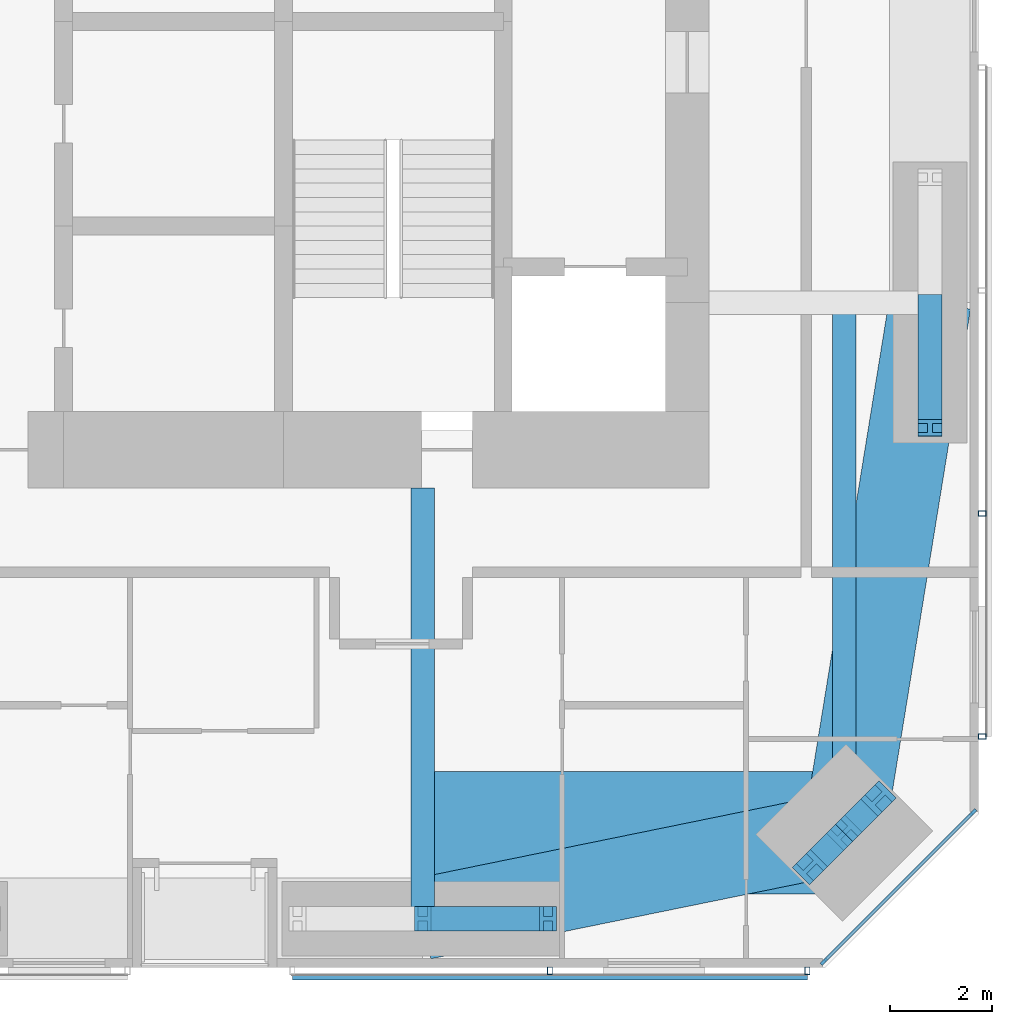
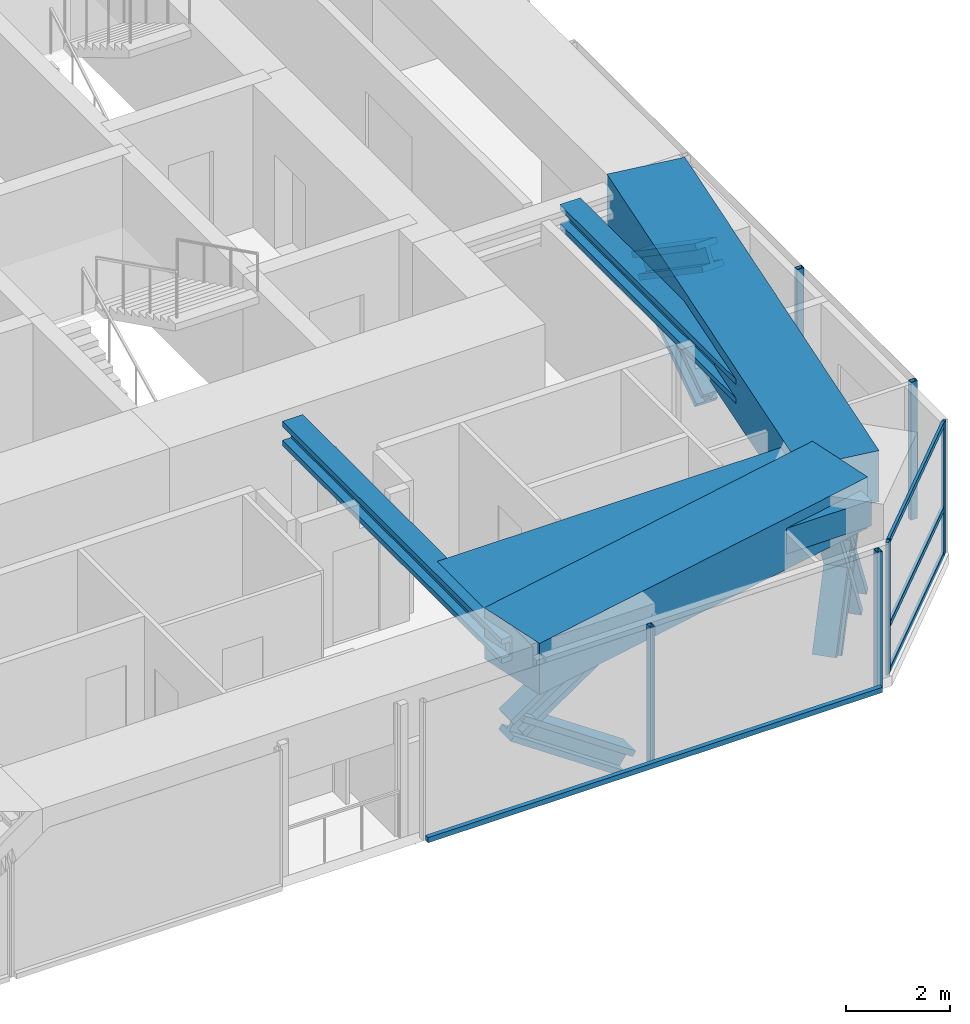
# One storey, part 8 of 24: 18 members, 5 beams, 3 elements without a shape of their own.
"""IFC4 building model written with IfcOpenShell, lengths in metres."""

from ifc_helpers import new_model, si_unit, direction, frame, origin, origin_2d, place, context, subcontext, project, spatial, rectangle, hollow_rectangle, i_section, extrude, material, material_profile, profile_set, type_object, element, aggregate, save


model = new_model("IFC4")

# Units and contexts
model_context = context("Model", 3, precision=1e-05, world=origin(), true_north=direction((0.0, 1.0)))
body_context = subcontext(model_context, "Body", "Model", "MODEL_VIEW")
ifc_project = project(units=[si_unit("LENGTHUNIT", "METRE"), si_unit("AREAUNIT", "SQUARE_METRE"), si_unit("VOLUMEUNIT", "CUBIC_METRE"), si_unit("PLANEANGLEUNIT", "RADIAN"), si_unit("MASSUNIT", "GRAM", prefix="KILO")], contexts=[model_context])

# Site, building, storey
site_placement = place(None, origin())
site = spatial("IfcSite", under=ifc_project, at=site_placement, CompositionType="ELEMENT")
building_placement = place(site_placement, origin())
building = spatial("IfcBuilding", under=site, at=building_placement, Name="Jalousie Tower", CompositionType="ELEMENT")
storey_placement = place(building_placement, frame((0.0, 0.0, 128.300048828125)))
storey = spatial("IfcBuildingStorey", under=building, at=storey_placement, Name="L35", CompositionType="ELEMENT", Elevation=128.300048828125)

# Curtain wall, members
ifc_material_1 = material(Name="Aluminium curtain wall", Category="aluminium")
curtain_wall_type_1 = type_object("IfcCurtainWallType", Name="CORNER WINDOW WALL", PredefinedType="USERDEFINED", material=ifc_material_1)
curtain_wall_1_placement = place(storey_placement, origin())
curtain_wall_1 = element("IfcCurtainWall", 1, at=curtain_wall_1_placement, inside=storey, type_object=curtain_wall_type_1, Name="Corner Window Wall L35 2", ObjectType="CORNER WINDOW WALL", PredefinedType="USERDEFINED")
ifc_material_2 = material(Name="Aluminium mullion", Category="aluminium")
ifc_material_profile_1 = material_profile(ifc_material_2, rectangle(XDim=0.06005859375, YDim=0.14990234375, at=origin_2d()), Name="MULLION 60x150")
ifc_profile_set_1 = profile_set([ifc_material_profile_1], Name="Aluminium mullion")
member_type_1 = type_object("IfcMemberType", Name="CORNER WINDOW WALL MULLION", PredefinedType="MULLION", material=ifc_profile_set_1)
member_1_placement = place(storey_placement, frame((46.469970703125, 0.108642578125, 0.0), z_axis=(0.0, 0.0, 1.0), x_axis=(-0.707106781187, 0.707106781187, 0.0)))
member_1 = element("IfcMember", 2, at=member_1_placement, type_object=member_type_1, Name="CW-C mullion 1", PredefinedType="MULLION", context=body_context, shape_type="SweptSolid", body=[
    extrude(rectangle(XDim=0.06005859375, YDim=0.14990234375, at=origin_2d()), origin(), (0.0, 0.0, 1.0), 3.10986328125),
])
member_2_placement = place(storey_placement, frame((49.391357421875, 3.030029296875, 0.0), z_axis=(0.0, 0.0, 1.0), x_axis=(-0.707106781187, 0.707106781187, 0.0)))
member_2 = element("IfcMember", 3, at=member_2_placement, type_object=member_type_1, Name="CW-C mullion 2", PredefinedType="MULLION", context=body_context, shape_type="SweptSolid", body=[
    extrude(rectangle(XDim=0.06005859375, YDim=0.14990234375, at=origin_2d()), origin(), (0.0, 0.0, 1.0), 3.10986328125),
])
ifc_material_3 = material(Name="Aluminium transom", Category="aluminium")
ifc_material_profile_2 = material_profile(ifc_material_3, rectangle(XDim=0.06005859375, YDim=0.1201171875, at=origin_2d()), Name="TRANSOM 60x120")
ifc_profile_set_2 = profile_set([ifc_material_profile_2], Name="Aluminium transom")
member_type_2 = type_object("IfcMemberType", Name="CORNER WINDOW WALL TRANSOM", PredefinedType="USERDEFINED", material=ifc_profile_set_2)
member_3_placement = place(storey_placement, frame((46.4912109375, 0.1298828125, 0.030029296875), z_axis=(0.707106781187, 0.707106781187, 0.0), x_axis=(-0.707106781187, 0.707106781187, 0.0)))
member_3 = element("IfcMember", 4, at=member_3_placement, type_object=member_type_2, Name="CW-C transom 1.1", ObjectType="TRANSOM", PredefinedType="USERDEFINED", context=body_context, shape_type="SweptSolid", body=[
    extrude(rectangle(XDim=0.06005859375, YDim=0.1201171875, at=origin_2d()), origin(), (0.0, 0.0, 1.0), 4.0712890625),
])
member_4_placement = place(storey_placement, frame((46.4912109375, 0.1298828125, 1.099853515625), z_axis=(0.707106781187, 0.707106781187, 0.0), x_axis=(-0.707106781187, 0.707106781187, 0.0)))
member_4 = element("IfcMember", 5, at=member_4_placement, type_object=member_type_2, Name="CW-C transom 1.2", ObjectType="TRANSOM", PredefinedType="USERDEFINED", context=body_context, shape_type="SweptSolid", body=[
    extrude(rectangle(XDim=0.06005859375, YDim=0.1201171875, at=origin_2d()), origin(), (0.0, 0.0, 1.0), 4.0712890625),
])
member_5_placement = place(storey_placement, frame((46.4912109375, 0.1298828125, 3.079833984375), z_axis=(0.707106781187, 0.707106781187, 0.0), x_axis=(-0.707106781187, 0.707106781187, 0.0)))
member_5 = element("IfcMember", 6, at=member_5_placement, type_object=member_type_2, Name="CW-C transom 1.3", ObjectType="TRANSOM", PredefinedType="USERDEFINED", context=body_context, shape_type="SweptSolid", body=[
    extrude(rectangle(XDim=0.06005859375, YDim=0.1201171875, at=origin_2d()), origin(), (0.0, 0.0, 1.0), 4.0712890625),
])
aggregate(curtain_wall_1, [member_1, member_2, member_3, member_4, member_5])

# Beams
ifc_material_4 = material(Name="Steel ASTM A992 Grade 50", Category="steel")
ifc_material_profile_3 = material_profile(ifc_material_4, i_section(OverallWidth=0.45458984375, OverallDepth=0.569091796875, WebThickness=0.077880859375, FlangeThickness=0.124755859375, at=origin_2d()), Name="W14X730")
ifc_profile_set_3 = profile_set([ifc_material_profile_3], Name="Steel ASTM A992 Grade 50")
beam_type_1 = type_object("IfcBeamType", Name="LEAN COLLECTOR W14X730", PredefinedType="BEAM", material=ifc_profile_set_3)
beam_1_placement = place(storey_placement, frame((38.625, 0.949951171875, 2.825439453125), z_axis=(0.0, 1.0, 0.0), x_axis=(-1.0, 0.0, 0.0)))
element("IfcBeam", 7, at=beam_1_placement, inside=storey, type_object=beam_type_1, Name="Lean collector under L36", PredefinedType="BEAM", context=body_context, shape_type="SweptSolid", body=[
    extrude(i_section(OverallWidth=0.45458984375, OverallDepth=0.569091796875, WebThickness=0.077880859375, FlangeThickness=0.124755859375, at=origin_2d()), origin(), (0.0, 0.0, 1.0), 8.425048828125),
])
beam_2_placement = place(storey_placement, frame((46.86865234375, 2.63134765625, 2.825439453125), z_axis=(0.0, 1.0, 0.0), x_axis=(-1.0, 0.0, 0.0)))
element("IfcBeam", 8, at=beam_2_placement, inside=storey, type_object=beam_type_1, Name="Lean collector under L36", PredefinedType="BEAM", context=body_context, shape_type="SweptSolid", body=[
    extrude(i_section(OverallWidth=0.45458984375, OverallDepth=0.569091796875, WebThickness=0.077880859375, FlangeThickness=0.124755859375, at=origin_2d()), origin(), (0.0, 0.0, 1.0), 10.36865234375),
])

# Members
ifc_material_5 = material(Name="Steel ASTM A992 Grade 50", Category="steel")
ifc_material_profile_4 = material_profile(ifc_material_5, i_section(OverallWidth=0.472412109375, OverallDepth=0.5791015625, WebThickness=0.094970703125, FlangeThickness=0.1298828125, at=origin_2d()), Name="W14X808")
ifc_profile_set_4 = profile_set([ifc_material_profile_4], Name="Steel ASTM A992 Grade 50")
member_type_3 = type_object("IfcMemberType", Name="PERIMETER BRACE W14X808", PredefinedType="BRACE", material=ifc_profile_set_4)
for number, where, z_axis, x_axis, name in (
    (9, (38.625, 0.949951171875, 1.074951171875), (0.825500916831, 0.0, 0.564400776321), (0.0, 1.0, 0.0), "Perimeter brace 04 L35 part 2"),
    (10, (41.074951171875, 0.949951171875, -0.60009765625), (-0.825500916831, 0.0, 0.564400776321), (0.0, -1.0, 0.0), "Perimeter brace 04 L35 part 3"),
):
    element("IfcMember", number, at=place(storey_placement, frame(where, z_axis=z_axis, x_axis=x_axis)), inside=storey, type_object=member_type_3, Name=name, PredefinedType="BRACE", context=body_context, shape_type="SweptSolid", body=[
        extrude(i_section(OverallWidth=0.472412109375, OverallDepth=0.5791015625, WebThickness=0.094970703125, FlangeThickness=0.1298828125, at=origin_2d()), origin(), (0.0, 0.0, 1.0), 2.9677734375),
    ])
for number, where, z_axis, x_axis, name in (
    (11, (46.197021484375, 1.959716796875, -0.60009765625), (0.348789058631, 0.348789058631, 0.869880672943), (-0.707106781187, 0.707106781187, 0.0), "Perimeter brace 05 L35 part 1"),
    (12, (46.86865234375, 2.63134765625, 1.074951171875), (0.348789058631, 0.348789058631, 0.869880672943), (-0.707106781187, 0.707106781187, 0.0), "Perimeter brace 05 L35 part 2"),
    (13, (47.540283203125, 3.302978515625, -0.60009765625), (-0.348789058631, -0.348789058631, 0.869880672943), (0.707106781187, -0.707106781187, 0.0), "Perimeter brace 05 L35 part 3"),
    (14, (46.86865234375, 2.63134765625, 1.074951171875), (-0.348789058631, -0.348789058631, 0.869880672943), (0.707106781187, -0.707106781187, 0.0), "Perimeter brace 05 L35 part 4"),
):
    element("IfcMember", number, at=place(storey_placement, frame(where, z_axis=z_axis, x_axis=x_axis)), inside=storey, type_object=member_type_3, Name=name, PredefinedType="BRACE", context=body_context, shape_type="SweptSolid", body=[
        extrude(i_section(OverallWidth=0.472412109375, OverallDepth=0.5791015625, WebThickness=0.094970703125, FlangeThickness=0.1298828125, at=origin_2d()), origin(), (0.0, 0.0, 1.0), 1.925537109375),
    ])
for number, where, z_axis, x_axis, name in (
    (15, (48.550048828125, 10.550048828125, -0.60009765625), (0.0, 0.825500916831, 0.564400776321), (-1.0, 0.0, 0.0), "Perimeter brace 06 L35 part 1"),
    (16, (48.550048828125, 13.0, 1.074951171875), (0.0, -0.825500916831, 0.564400776321), (1.0, 0.0, 0.0), "Perimeter brace 06 L35 part 4"),
):
    element("IfcMember", number, at=place(storey_placement, frame(where, z_axis=z_axis, x_axis=x_axis)), inside=storey, type_object=member_type_3, Name=name, PredefinedType="BRACE", context=body_context, shape_type="SweptSolid", body=[
        extrude(i_section(OverallWidth=0.472412109375, OverallDepth=0.5791015625, WebThickness=0.094970703125, FlangeThickness=0.1298828125, at=origin_2d()), origin(), (0.0, 0.0, 1.0), 2.9677734375),
    ])

# Beams
ifc_material_6 = material(Name="Concrete f'c 40 MPa", Category="concrete")
ifc_material_profile_5 = material_profile(ifc_material_6, rectangle(XDim=1.60009765625, YDim=1.199951171875, at=origin_2d()), Name="RC 1600x1200")
ifc_profile_set_5 = profile_set([ifc_material_profile_5], Name="Concrete f'c 40 MPa")
beam_type_2 = type_object("IfcBeamType", Name="RC BEAM 1600x1200", PredefinedType="BEAM", material=ifc_profile_set_5)
beam_3_placement = place(storey_placement, frame((38.625, 0.949951171875, 2.75), z_axis=(0.97982690954, 0.199848010602, 0.0), x_axis=(-0.199848010602, 0.97982690954, 0.0)))
element("IfcBeam", 17, at=beam_3_placement, inside=storey, type_object=beam_type_2, Name="Edge band beam 04-05 under L36", PredefinedType="BEAM", context=body_context, shape_type="SweptSolid", body=[
    extrude(rectangle(XDim=1.60009765625, YDim=1.199951171875, at=origin_2d()), origin(), (0.0, 0.0, 1.0), 8.413330078125),
])
beam_4_placement = place(storey_placement, frame((46.86865234375, 2.63134765625, 2.75), z_axis=(0.160070546476, 0.987105577003, 0.0), x_axis=(-0.987105577003, 0.160070546476, 0.0)))
element("IfcBeam", 18, at=beam_4_placement, inside=storey, type_object=beam_type_2, Name="Edge band beam 05-06 under L36", PredefinedType="BEAM", context=body_context, shape_type="SweptSolid", body=[
    extrude(rectangle(XDim=1.60009765625, YDim=1.199951171875, at=origin_2d()), origin(), (0.0, 0.0, 1.0), 10.504150390625),
])
ifc_material_7 = material(Name="Concrete f'c 40 MPa", Category="concrete")
ifc_material_profile_6 = material_profile(ifc_material_7, rectangle(XDim=2.39990234375, YDim=0.60009765625, at=origin_2d()), Name="RC 2400x600")
ifc_profile_set_6 = profile_set([ifc_material_profile_6], Name="Concrete f'c 40 MPa")
beam_type_3 = type_object("IfcBeamType", Name="RC BEAM 2400x600", PredefinedType="BEAM", material=ifc_profile_set_6)
beam_5_placement = place(storey_placement, frame((46.86865234375, 2.63134765625, 2.81005859375), z_axis=(-1.0, 0.0, 0.0), x_axis=(0.0, -1.0, 0.0)))
element("IfcBeam", 19, at=beam_5_placement, inside=storey, type_object=beam_type_3, Name="Floor band beam under L36", PredefinedType="BEAM", context=body_context, shape_type="SweptSolid", body=[
    extrude(rectangle(XDim=2.39990234375, YDim=0.60009765625, at=origin_2d()), origin(), (0.0, 0.0, 1.0), 8.24365234375),
])

# Curtain wall, members
ifc_material_8 = material(Name="Perforated aluminium sheet", Category="aluminium")
curtain_wall_type_2 = type_object("IfcCurtainWallType", Name="SOLAR SCREEN SS-1", PredefinedType="USERDEFINED", material=ifc_material_8)
curtain_wall_2_placement = place(storey_placement, origin())
curtain_wall_2 = element("IfcCurtainWall", 20, at=curtain_wall_2_placement, inside=storey, type_object=curtain_wall_type_2, Name="Solar screen L35", ObjectType="SOLAR SCREEN SS-1", PredefinedType="USERDEFINED")
ifc_material_9 = material(Name="Steel ASTM A500 Grade C", Category="steel")
ifc_material_profile_7 = material_profile(ifc_material_9, hollow_rectangle(XDim=0.1015625, YDim=0.15234375, WallThickness=0.00634765625, at=origin_2d()), Name="HSS6X4X1/4")
ifc_profile_set_7 = profile_set([ifc_material_profile_7], Name="Steel ASTM A500 Grade C")
member_type_4 = type_object("IfcMemberType", Name="SOLAR SCREEN SS-1 MULLION", PredefinedType="MULLION", material=ifc_profile_set_7)
member_6_placement = place(storey_placement, frame((41.11181640625, -0.0712890625, -0.1201171875), z_axis=(0.0, 0.0, 1.0), x_axis=(1.0, 0.0, 0.0)))
member_6 = element("IfcMember", 21, at=member_6_placement, type_object=member_type_4, Name="SS1 post 2", PredefinedType="MULLION", context=body_context, shape_type="SweptSolid", body=[
    extrude(hollow_rectangle(XDim=0.1015625, YDim=0.15234375, WallThickness=0.00634765625, at=origin_2d()), origin(), (0.0, 0.0, 1.0), 3.22998046875),
])
member_7_placement = place(storey_placement, frame((46.148681640625, -0.0712890625, -0.1201171875), z_axis=(0.0, 0.0, 1.0), x_axis=(1.0, 0.0, 0.0)))
member_7 = element("IfcMember", 22, at=member_7_placement, type_object=member_type_4, Name="SS1 post 3", PredefinedType="MULLION", context=body_context, shape_type="SweptSolid", body=[
    extrude(hollow_rectangle(XDim=0.1015625, YDim=0.15234375, WallThickness=0.00634765625, at=origin_2d()), origin(), (0.0, 0.0, 1.0), 3.22998046875),
])

curtain_wall_3_placement = place(storey_placement, origin())
curtain_wall_3 = element("IfcCurtainWall", 23, at=curtain_wall_3_placement, inside=storey, type_object=curtain_wall_type_2, Name="Solar screen L35", ObjectType="SOLAR SCREEN SS-1", PredefinedType="USERDEFINED")
member_8_placement = place(storey_placement, frame((49.5712890625, 4.513916015625, -0.1201171875), z_axis=(0.0, 0.0, 1.0), x_axis=(0.0, 1.0, 0.0)))
member_8 = element("IfcMember", 24, at=member_8_placement, type_object=member_type_4, Name="SS1 post 1", PredefinedType="MULLION", context=body_context, shape_type="SweptSolid", body=[
    extrude(hollow_rectangle(XDim=0.1015625, YDim=0.15234375, WallThickness=0.00634765625, at=origin_2d()), origin(), (0.0, 0.0, 1.0), 3.22998046875),
])
member_9_placement = place(storey_placement, frame((49.5712890625, 8.8759765625, -0.1201171875), z_axis=(0.0, 0.0, 1.0), x_axis=(0.0, 1.0, 0.0)))
member_9 = element("IfcMember", 25, at=member_9_placement, type_object=member_type_4, Name="SS1 post 2", PredefinedType="MULLION", context=body_context, shape_type="SweptSolid", body=[
    extrude(hollow_rectangle(XDim=0.1015625, YDim=0.15234375, WallThickness=0.00634765625, at=origin_2d()), origin(), (0.0, 0.0, 1.0), 3.22998046875),
])
aggregate(curtain_wall_3, [member_8, member_9])

# Member
ifc_material_10 = material(Name="Extruded aluminium screen rail", Category="aluminium")
ifc_material_profile_8 = material_profile(ifc_material_10, rectangle(XDim=0.1015625, YDim=0.1201171875, at=origin_2d()), Name="RAIL 102x120")
ifc_profile_set_8 = profile_set([ifc_material_profile_8], Name="Extruded aluminium screen rail")
member_type_5 = type_object("IfcMemberType", Name="SOLAR SCREEN SS-1 TRANSOM", PredefinedType="USERDEFINED", material=ifc_profile_set_8)
member_10_placement = place(storey_placement, frame((36.074951171875, -0.1982421875, -0.06005859375), z_axis=(1.0, 0.0, 0.0), x_axis=(0.0, 1.0, 0.0)))
member_10 = element("IfcMember", 26, at=member_10_placement, type_object=member_type_5, Name="SS1 rail", ObjectType="TRANSOM", PredefinedType="USERDEFINED", context=body_context, shape_type="SweptSolid", body=[
    extrude(rectangle(XDim=0.1015625, YDim=0.1201171875, at=origin_2d()), origin(), (0.0, 0.0, 1.0), 10.07373046875),
])

aggregate(curtain_wall_2, [member_6, member_7, member_10])

save(model, "model.ifc")
